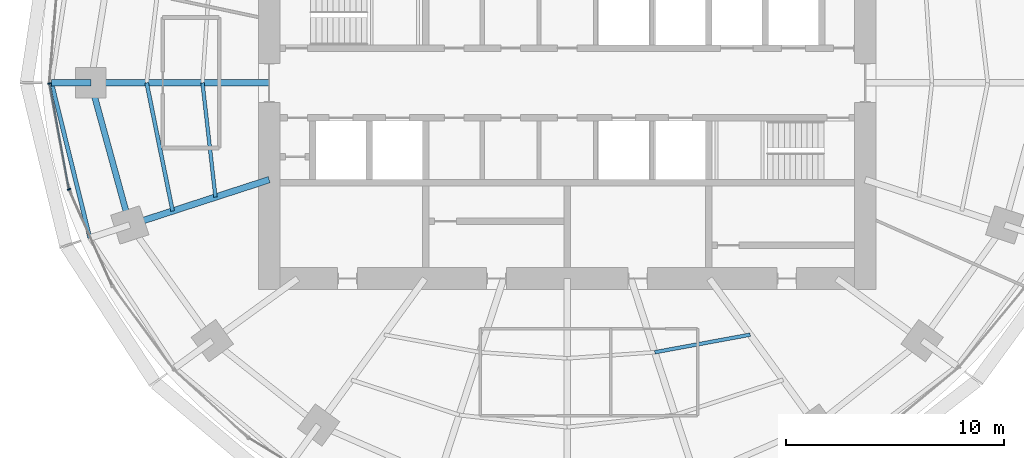
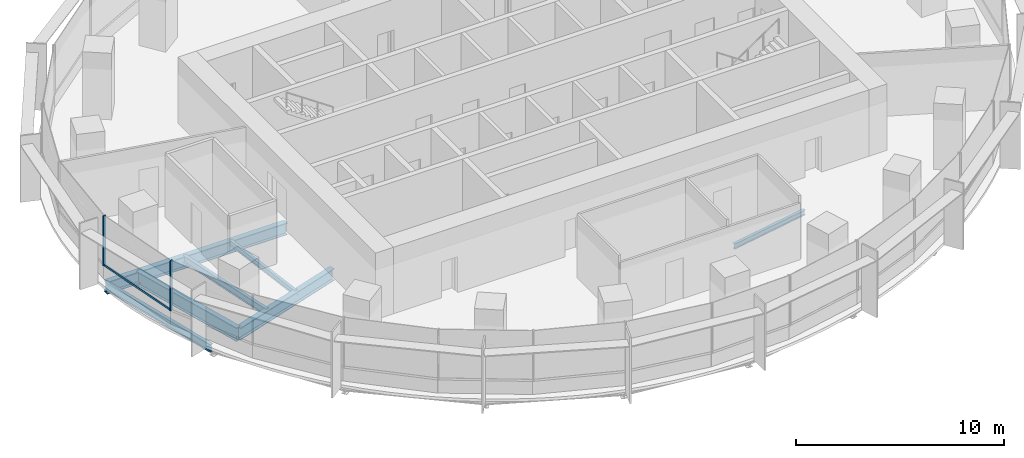
# One storey, part 3 of 14: 8 beams, 3 members, 1 element without a shape of its own.
"""IFC4 building model written with IfcOpenShell, lengths in metres."""

import ifcopenshell
import ifcopenshell.guid

model = None  # the IFC model being written
_history = None  # IfcOwnerHistory: only IFC2X3 demands one
_inside = {}  # id of a spatial element -> (the spatial element, [elements in it])
_under = {}  # id of a project, library or spatial element -> (it, [spatial elements below it])
_declared = {}  # id of a project -> (the project, [libraries it declares])
_typed = {}  # id of a type object -> (the type object, [elements of that type])
_made_of = {}  # id of a material, layer set ... -> (it, [elements and type objects made of it])


def new_model(schema):
    """Start an empty IFC model of exactly this schema.

    Asked for "IFC4X3", IfcOpenShell would pick the latest addendum, in which some entities
    have other attributes; the version numbers below select the first issue.
    IFC2X3 requires an IfcOwnerHistory on every rooted entity: one is made here for all.
    """
    global model, _history
    if schema == "IFC4X3":
        model = ifcopenshell.file(schema_version=(4, 3, 0, 0))
    else:
        model = ifcopenshell.file(schema=schema)
    _inside.clear()
    _under.clear()
    _declared.clear()
    _typed.clear()
    _made_of.clear()
    _history = None
    if model.schema == "IFC2X3":
        org = make("IfcOrganization", Name="unknown")
        user = make(
            "IfcPersonAndOrganization",
            ThePerson=make("IfcPerson", FamilyName="unknown"),
            TheOrganization=org,
        )
        app = make(
            "IfcApplication",
            ApplicationDeveloper=org,
            Version="unknown",
            ApplicationFullName="unknown",
            ApplicationIdentifier="unknown",
        )
        _history = make(
            "IfcOwnerHistory",
            OwningUser=user,
            OwningApplication=app,
            ChangeAction="ADDED",
            CreationDate=0,
        )
    return model


def make(cls, **values):
    """One entity of the class cls with the attributes given. An attribute that is None is left unset."""
    return model.create_entity(
        cls, **{name: value for name, value in values.items() if value is not None}
    )


def rooted(cls, **values):
    """An entity with a GlobalId (a new one), such as an element, a storey or a relation."""
    return make(cls, GlobalId=ifcopenshell.guid.new(), OwnerHistory=_history, **values)


def si_unit(unit_type, name, prefix=None):
    """IfcSIUnit, for example si_unit("LENGTHUNIT", "METRE", prefix="MILLI")."""
    return make("IfcSIUnit", UnitType=unit_type, Prefix=prefix, Name=name)


def assignment(units):
    """IfcUnitAssignment: the units of a project."""
    return None if units is None else make("IfcUnitAssignment", Units=units)


def point(xyz):
    """IfcCartesianPoint."""
    return None if xyz is None else make("IfcCartesianPoint", Coordinates=xyz)


def direction(xyz):
    """IfcDirection."""
    return None if xyz is None else make("IfcDirection", DirectionRatios=xyz)


def frame(location, z_axis=None, x_axis=None):
    """IfcAxis2Placement3D, a coordinate frame: its origin and axes. An axis left out is left unset."""
    return make(
        "IfcAxis2Placement3D",
        Location=point(location),
        Axis=direction(z_axis),
        RefDirection=direction(x_axis),
    )


def frame_2d(location, x_axis=None):
    """IfcAxis2Placement2D, a coordinate frame in the plane: its origin and x axis."""
    return make(
        "IfcAxis2Placement2D", Location=point(location), RefDirection=direction(x_axis)
    )


def origin():
    """The frame at (0, 0, 0) with its axes left unset."""
    return frame((0.0, 0.0, 0.0))


def origin_2d():
    """The frame at (0, 0) in the plane with its x axis left unset."""
    return frame_2d((0.0, 0.0))


def place(relative_to, where):
    """IfcLocalPlacement: puts the frame where relative to a parent placement (None: the world)."""
    return make(
        "IfcLocalPlacement", PlacementRelTo=relative_to, RelativePlacement=where
    )


def context(
    kind, dimensions, precision=None, world=None, true_north=None, identifier=None
):
    """IfcGeometricRepresentationContext, for example the 3D "Model" context."""
    return make(
        "IfcGeometricRepresentationContext",
        ContextIdentifier=identifier,
        ContextType=kind,
        CoordinateSpaceDimension=dimensions,
        Precision=precision,
        WorldCoordinateSystem=world,
        TrueNorth=true_north,
    )


def subcontext(parent, identifier, kind, view, scale=None):
    """IfcGeometricRepresentationSubContext, for example "Body" below "Model"."""
    return make(
        "IfcGeometricRepresentationSubContext",
        ContextIdentifier=identifier,
        ContextType=kind,
        ParentContext=parent,
        TargetScale=scale,
        TargetView=view,
    )


def project(units=None, contexts=None):
    """IfcProject with its units and contexts."""
    return rooted(
        "IfcProject",
        Name="project",
        RepresentationContexts=contexts,
        UnitsInContext=assignment(units),
    )


def spatial(cls, under=None, at=None, **own):
    """A site, building, storey or space (cls), placed at a placement, below another one or the project."""
    s = rooted(cls, ObjectPlacement=at, **own)
    if under is not None:
        _under.setdefault(under.id(), (under, []))[1].append(s)
    return s


def profile(cls, at=None, kind="AREA", **sizes):
    """A parametric profile (cls). Its sizes go by their IFC names, for example OverallWidth=200.0."""
    return make(cls, ProfileType=kind, Position=at, **sizes)


def rectangle(**sizes):
    """IfcRectangleProfileDef."""
    return profile("IfcRectangleProfileDef", **sizes)


def i_section(**sizes):
    """IfcIShapeProfileDef."""
    return profile("IfcIShapeProfileDef", **sizes)


def extrude(swept, where, along, depth):
    """IfcExtrudedAreaSolid: the profile swept, set in the frame where, extruded along a direction by depth."""
    return make(
        "IfcExtrudedAreaSolid",
        SweptArea=swept,
        Position=where,
        ExtrudedDirection=direction(along),
        Depth=depth,
    )


def shape(context_of_items, identifier, shape_type, items):
    """IfcShapeRepresentation: the items that make up one representation, for example the "Body"."""
    return make(
        "IfcShapeRepresentation",
        ContextOfItems=context_of_items,
        RepresentationIdentifier=identifier,
        RepresentationType=shape_type,
        Items=items,
    )


def material(Name=None, Category=None):
    """IfcMaterial."""
    return make("IfcMaterial", Name=Name, Category=Category)


def material_profile(
    of_material, cross_section, Name=None, Category=None, Priority=None
):
    """IfcMaterialProfile: a cross section and its material."""
    return make(
        "IfcMaterialProfile",
        Name=Name,
        Material=of_material,
        Profile=cross_section,
        Priority=Priority,
        Category=Category,
    )


def profile_set(profiles, Name=None, composite=None):
    """IfcMaterialProfileSet."""
    return make(
        "IfcMaterialProfileSet",
        Name=Name,
        MaterialProfiles=profiles,
        CompositeProfile=composite,
    )


def made_of(thing, what):
    """Note that an element or type object is made of a material, layer set ...; save() writes the relation."""
    if what is not None:
        _made_of.setdefault(what.id(), (what, []))[1].append(thing)
    return thing


def type_object(cls, material=None, **own):
    """A type object (cls), such as IfcWallType, which elements share."""
    return made_of(rooted(cls, **own), material)


def element(
    cls,
    number,
    at=None,
    inside=None,
    cuts=None,
    type_object=None,
    material=None,
    context=None,
    identifier="Body",
    shape_type=None,
    held_by="IfcProductDefinitionShape",
    body=None,
    shapes=None,
    **own,
):
    """One element of the class cls, such as IfcWall. Its Tag is "e" and its number.

    at: its placement. inside: the storey or other place that contains it. cuts: it is an
    opening in that element (IfcRelVoidsElement). A single representation is given by context,
    identifier, shape_type and body (its items); several are given by shapes. held_by: the class
    of the entity that holds the representations. save() writes the other relations.
    """
    e = rooted(cls, Tag="e%d" % number, ObjectPlacement=at, **own)
    if body is not None:
        shapes = [shape(context, identifier, shape_type, body)]
    if shapes is not None:
        e.Representation = make(held_by, Representations=shapes)
    if inside is not None:
        _inside.setdefault(inside.id(), (inside, []))[1].append(e)
    if cuts is not None:
        rooted(
            "IfcRelVoidsElement", RelatingBuildingElement=cuts, RelatedOpeningElement=e
        )
    if type_object is not None:
        _typed.setdefault(type_object.id(), (type_object, []))[1].append(e)
    return made_of(e, material)


def aggregate(whole, parts):
    """IfcRelAggregates: a whole, such as a stair, and the parts it consists of."""
    return rooted("IfcRelAggregates", RelatingObject=whole, RelatedObjects=parts)


def save(model, path):
    """Write the relations noted so far, then the file.

    IfcRelAggregates (storeys below a building ...), IfcRelContainedInSpatialStructure (elements
    in a storey), IfcRelDefinesByType, IfcRelAssociatesMaterial and IfcRelDeclares: one each for
    every whole, place, type object, material and project.
    """
    for whole, parts in _under.values():
        aggregate(whole, parts)
    for where, things in _inside.values():
        rooted(
            "IfcRelContainedInSpatialStructure",
            RelatedElements=things,
            RelatingStructure=where,
        )
    for kind, things in _typed.values():
        rooted("IfcRelDefinesByType", RelatedObjects=things, RelatingType=kind)
    for what, things in _made_of.values():
        rooted("IfcRelAssociatesMaterial", RelatedObjects=things, RelatingMaterial=what)
    for by, libraries in _declared.values():
        rooted("IfcRelDeclares", RelatingContext=by, RelatedDefinitions=libraries)
    model.write(path)


model = new_model("IFC4")

# Units and contexts
model_context = context("Model", 3, precision=1e-05, world=origin(), true_north=direction((0.0, 1.0)))
body_context = subcontext(model_context, "Body", "Model", "MODEL_VIEW")
ifc_project = project(units=[si_unit("LENGTHUNIT", "METRE"), si_unit("AREAUNIT", "SQUARE_METRE"), si_unit("VOLUMEUNIT", "CUBIC_METRE"), si_unit("PLANEANGLEUNIT", "RADIAN"), si_unit("MASSUNIT", "GRAM", prefix="KILO")], contexts=[model_context])

# Site, building, storey
site_placement = place(None, origin())
site = spatial("IfcSite", under=ifc_project, at=site_placement, CompositionType="ELEMENT")
building_placement = place(site_placement, origin())
building = spatial("IfcBuilding", under=site, at=building_placement, Name="Marramba Exchange Tower", CompositionType="ELEMENT")
storey_placement = place(building_placement, frame((0.0, 0.0, 218.89990234375)))
storey = spatial("IfcBuildingStorey", under=building, at=storey_placement, Name="L53", CompositionType="ELEMENT", Elevation=218.89990234375)

# Beams
ifc_material_1 = material(Name="Steel AS/NZS 3679.2 grade 300", Category="steel")
ifc_material_profile_1 = material_profile(ifc_material_1, i_section(OverallWidth=0.300048828125, OverallDepth=0.699951171875, WebThickness=0.010009765625, FlangeThickness=0.031982421875, at=origin_2d()), Name="700WB173")
ifc_profile_set_1 = profile_set([ifc_material_profile_1], Name="Steel AS/NZS 3679.2 grade 300")
beam_type_1 = type_object("IfcBeamType", Name="Cantilever girder 700WB173", PredefinedType="BEAM", material=ifc_profile_set_1)
beam_1_placement = place(storey_placement, frame((-21.89990234375, 0.0, -0.510009765625), z_axis=(-1.0, 0.0, 0.0), x_axis=(0.0, -1.0, 0.0)))
element("IfcBeam", 1, at=beam_1_placement, inside=storey, type_object=beam_type_1, Name="Cantilever girder L53 TC11", PredefinedType="BEAM", context=body_context, shape_type="SweptSolid", body=[
    extrude(i_section(OverallWidth=0.300048828125, OverallDepth=0.699951171875, WebThickness=0.010009765625, FlangeThickness=0.031982421875, at=origin_2d()), origin(), (0.0, 0.0, 1.0), 1.80615234375),
])
ifc_material_2 = material(Name="Steel AS/NZS 3679.1 grade 300", Category="steel")
ifc_material_profile_2 = material_profile(ifc_material_2, i_section(OverallWidth=0.166015625, OverallDepth=0.306884765625, WebThickness=0.006591796875, FlangeThickness=0.01171875, FilletRadius=0.011474609375, at=origin_2d()), Name="310UB46.2")
ifc_profile_set_2 = profile_set([ifc_material_profile_2], Name="Steel AS/NZS 3679.1 grade 300")
beam_type_2 = type_object("IfcBeamType", Name="Floor joist 310UB46.2", PredefinedType="JOIST", material=ifc_profile_set_2)
beam_2_placement = place(storey_placement, frame((-16.7666015625, 0.0, -0.3134765625), z_axis=(0.112888968594, -0.993607609054, 0.0), x_axis=(0.993607609054, 0.112888968594, 0.0)))
element("IfcBeam", 2, at=beam_2_placement, inside=storey, type_object=beam_type_2, Name="Joist L53 bay 11 row 1", PredefinedType="JOIST", context=body_context, shape_type="SweptSolid", body=[
    extrude(i_section(OverallWidth=0.166015625, OverallDepth=0.306884765625, WebThickness=0.006591796875, FlangeThickness=0.01171875, FilletRadius=0.011474609375, at=origin_2d()), origin(), (0.0, 0.0, 1.0), 5.28759765625),
])
beam_3_placement = place(storey_placement, frame((4.0244140625, -12.3857421875, -0.3134765625), z_axis=(0.983455754421, 0.181148500119, 0.0), x_axis=(-0.181148500119, 0.983455754421, 0.0)))
element("IfcBeam", 3, at=beam_3_placement, inside=storey, type_object=beam_type_2, Name="Joist L53 bay 17 row 1", PredefinedType="JOIST", context=body_context, shape_type="SweptSolid", body=[
    extrude(i_section(OverallWidth=0.166015625, OverallDepth=0.306884765625, WebThickness=0.006591796875, FlangeThickness=0.01171875, FilletRadius=0.011474609375, at=origin_2d()), origin(), (0.0, 0.0, 1.0), 4.4609375),
])
ifc_material_profile_3 = material_profile(ifc_material_2, i_section(OverallWidth=0.177978515625, OverallDepth=0.406005859375, WebThickness=0.0078125, FlangeThickness=0.0126953125, FilletRadius=0.011474609375, at=origin_2d()), Name="410UB59.7")
ifc_profile_set_3 = profile_set([ifc_material_profile_3], Name="Steel AS/NZS 3679.1 grade 300")
beam_type_3 = type_object("IfcBeamType", Name="Floor joist 410UB59.7", PredefinedType="JOIST", material=ifc_profile_set_3)
beam_4_placement = place(storey_placement, frame((-19.333251953125, 0.0, -0.36279296875), z_axis=(0.198489047047, -0.980103105904, 0.0), x_axis=(0.980103105904, 0.198489047047, 0.0)))
element("IfcBeam", 4, at=beam_4_placement, inside=storey, type_object=beam_type_3, Name="Joist L53 bay 11 row 2", PredefinedType="JOIST", context=body_context, shape_type="SweptSolid", body=[
    extrude(i_section(OverallWidth=0.177978515625, OverallDepth=0.406005859375, WebThickness=0.0078125, FlangeThickness=0.0126953125, FilletRadius=0.011474609375, at=origin_2d()), origin(), (0.0, 0.0, 1.0), 6.013427734375),
])

# Curtain wall, members
ifc_material_3 = material(Name="Aluminium framing, bronze anodised", Category="aluminium")
curtain_wall_type = type_object("IfcCurtainWallType", Name="Office ribbon curtain wall", PredefinedType="USERDEFINED", material=ifc_material_3)
curtain_wall_placement = place(storey_placement, origin())
curtain_wall = element("IfcCurtainWall", 5, at=curtain_wall_placement, inside=storey, type_object=curtain_wall_type, Name="Curtain wall CW4 L53 F16-F20", ObjectType="RIBBON CURTAIN WALL", PredefinedType="USERDEFINED")
ifc_material_4 = material(Name="Aluminium mullion, bronze anodised", Category="aluminium")
ifc_material_profile_4 = material_profile(ifc_material_4, rectangle(XDim=0.159912109375, YDim=0.06005859375, at=origin_2d()), Name="CW4 mullion 60x160")
ifc_profile_set_4 = profile_set([ifc_material_profile_4], Name="Aluminium mullion, bronze anodised")
member_type_1 = type_object("IfcMemberType", Name="Office ribbon curtain wall mullion", PredefinedType="MULLION", material=ifc_profile_set_4)
member_1_placement = place(storey_placement, frame((-23.800537109375, -0.029541015625, 0.800048828125), z_axis=(0.0, 0.0, 1.0), x_axis=(0.983606636184, 0.180327438996, 0.0)))
member_1 = element("IfcMember", 6, at=member_1_placement, type_object=member_type_1, Name="CW4 mullion 1", PredefinedType="MULLION", context=body_context, shape_type="SweptSolid", body=[
    extrude(rectangle(XDim=0.159912109375, YDim=0.06005859375, at=origin_2d()), origin(), (0.0, 0.0, 1.0), 2.93994140625),
])
member_2_placement = place(storey_placement, frame((-22.90087890625, -4.897705078125, 0.800048828125), z_axis=(0.0, 0.0, 1.0), x_axis=(0.913179510401, 0.407557580942, 0.0)))
member_2 = element("IfcMember", 7, at=member_2_placement, type_object=member_type_1, Name="CW4 mullion 1", PredefinedType="MULLION", context=body_context, shape_type="SweptSolid", body=[
    extrude(rectangle(XDim=0.159912109375, YDim=0.06005859375, at=origin_2d()), origin(), (0.0, 0.0, 1.0), 2.93994140625),
])
ifc_material_5 = material(Name="Aluminium transom, bronze anodised", Category="aluminium")
ifc_material_profile_5 = material_profile(ifc_material_5, rectangle(XDim=0.06005859375, YDim=0.1201171875, at=origin_2d()), Name="CW4 transom 60x120")
ifc_profile_set_5 = profile_set([ifc_material_profile_5], Name="Aluminium transom, bronze anodised")
member_type_2 = type_object("IfcMemberType", Name="Office ribbon curtain wall transom", PredefinedType="USERDEFINED", material=ifc_profile_set_5)
member_3_placement = place(storey_placement, frame((-23.795166015625, -0.05908203125, 0.830078125), z_axis=(0.180330283276, -0.98360611473, 0.0), x_axis=(0.98360611473, 0.180330283276, 0.0)))
member_3 = element("IfcMember", 8, at=member_3_placement, type_object=member_type_2, Name="CW4 sill transom", ObjectType="TRANSOM", PredefinedType="USERDEFINED", context=body_context, shape_type="SweptSolid", body=[
    extrude(rectangle(XDim=0.06005859375, YDim=0.1201171875, at=origin_2d()), origin(), (0.0, 0.0, 1.0), 4.891357421875),
])
aggregate(curtain_wall, [member_1, member_3, member_2])

# Beams
ifc_material_profile_6 = material_profile(ifc_material_1, i_section(OverallWidth=0.300048828125, OverallDepth=0.699951171875, WebThickness=0.010009765625, FlangeThickness=0.031982421875, at=origin_2d()), Name="700WB173")
ifc_profile_set_6 = profile_set([ifc_material_profile_6], Name="Steel AS/NZS 3679.2 grade 300")
beam_type_4 = type_object("IfcBeamType", Name="Radial girder 700WB173", PredefinedType="BEAM", material=ifc_profile_set_6)
beam_5_placement = place(storey_placement, frame((-13.699951171875, 0.0, -0.510009765625), z_axis=(-1.0, 0.0, 0.0), x_axis=(0.0, -1.0, 0.0)))
element("IfcBeam", 9, at=beam_5_placement, inside=storey, type_object=beam_type_4, Name="Radial girder L53 TC11", PredefinedType="BEAM", context=body_context, shape_type="SweptSolid", body=[
    extrude(i_section(OverallWidth=0.300048828125, OverallDepth=0.699951171875, WebThickness=0.010009765625, FlangeThickness=0.031982421875, at=origin_2d()), origin(), (0.0, 0.0, 1.0), 8.199951171875),
])
beam_6_placement = place(storey_placement, frame((-13.699951171875, -4.451416015625, -0.510009765625), z_axis=(-0.951057759669, -0.309013167637, 0.0), x_axis=(0.309013167637, -0.951057759669, 0.0)))
element("IfcBeam", 10, at=beam_6_placement, inside=storey, type_object=beam_type_4, Name="Radial girder L53 TC12", PredefinedType="BEAM", context=body_context, shape_type="SweptSolid", body=[
    extrude(i_section(OverallWidth=0.300048828125, OverallDepth=0.699951171875, WebThickness=0.010009765625, FlangeThickness=0.031982421875, at=origin_2d()), origin(), (0.0, 0.0, 1.0), 6.7392578125),
])
ifc_material_profile_7 = material_profile(ifc_material_1, i_section(OverallWidth=0.27490234375, OverallDepth=0.800048828125, WebThickness=0.010009765625, FlangeThickness=0.02490234375, at=origin_2d()), Name="800WB168")
ifc_profile_set_7 = profile_set([ifc_material_profile_7], Name="Steel AS/NZS 3679.2 grade 300")
beam_type_5 = type_object("IfcBeamType", Name="Ring beam 800WB168", PredefinedType="SPANDREL", material=ifc_profile_set_7)
beam_7_placement = place(storey_placement, frame((-21.89990234375, 0.0, -0.559814453125), z_axis=(0.264291166956, -0.964442937176, 0.0), x_axis=(0.964442937176, 0.264291166956, 0.0)))
element("IfcBeam", 11, at=beam_7_placement, inside=storey, type_object=beam_type_5, Name="Ring beam L53 TC11-TC12", PredefinedType="SPANDREL", context=body_context, shape_type="SweptSolid", body=[
    extrude(i_section(OverallWidth=0.27490234375, OverallDepth=0.800048828125, WebThickness=0.010009765625, FlangeThickness=0.02490234375, at=origin_2d()), origin(), (0.0, 0.0, 1.0), 6.77490234375),
])
ifc_material_profile_8 = material_profile(ifc_material_2, i_section(OverallWidth=0.19091796875, OverallDepth=0.4599609375, WebThickness=0.010009765625, FlangeThickness=0.01611328125, FilletRadius=0.011474609375, at=origin_2d()), Name="460UB82.1")
ifc_profile_set_8 = profile_set([ifc_material_profile_8], Name="Steel AS/NZS 3679.1 grade 300")
beam_type_6 = type_object("IfcBeamType", Name="Slab edge beam 460UB82.1", PredefinedType="SPANDREL", material=ifc_profile_set_8)
beam_8_placement = place(storey_placement, frame((-23.7060546875, 0.0, -0.389892578125), z_axis=(0.23973454413, -0.970838476963, 0.0), x_axis=(0.970838476963, 0.23973454413, 0.0)))
element("IfcBeam", 12, at=beam_8_placement, inside=storey, type_object=beam_type_6, Name="Slab edge beam L53 TC11-TC12", PredefinedType="SPANDREL", context=body_context, shape_type="SweptSolid", body=[
    extrude(i_section(OverallWidth=0.19091796875, OverallDepth=0.4599609375, WebThickness=0.010009765625, FlangeThickness=0.01611328125, FilletRadius=0.011474609375, at=origin_2d()), origin(), (0.0, 0.0, 1.0), 7.344482421875),
])

save(model, "model.ifc")
